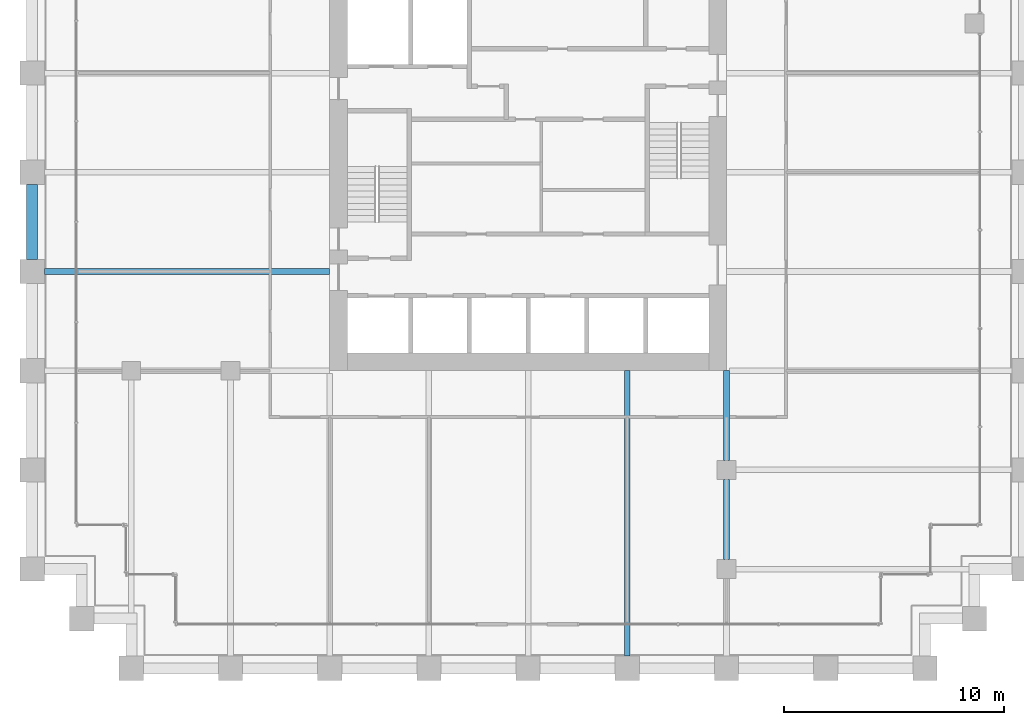
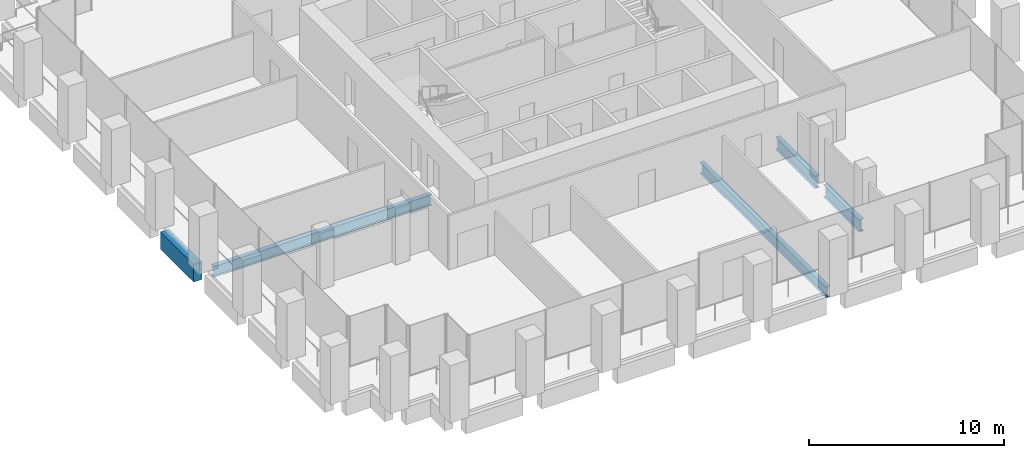
# One storey, part 10 of 56: 5 beams.
"""IFC4 building model written with IfcOpenShell, lengths in metres."""

import ifcopenshell
import ifcopenshell.guid

model = None  # the IFC model being written
_history = None  # IfcOwnerHistory: only IFC2X3 demands one
_inside = {}  # id of a spatial element -> (the spatial element, [elements in it])
_under = {}  # id of a project, library or spatial element -> (it, [spatial elements below it])
_declared = {}  # id of a project -> (the project, [libraries it declares])
_typed = {}  # id of a type object -> (the type object, [elements of that type])
_made_of = {}  # id of a material, layer set ... -> (it, [elements and type objects made of it])


def new_model(schema):
    """Start an empty IFC model of exactly this schema.

    Asked for "IFC4X3", IfcOpenShell would pick the latest addendum, in which some entities
    have other attributes; the version numbers below select the first issue.
    IFC2X3 requires an IfcOwnerHistory on every rooted entity: one is made here for all.
    """
    global model, _history
    if schema == "IFC4X3":
        model = ifcopenshell.file(schema_version=(4, 3, 0, 0))
    else:
        model = ifcopenshell.file(schema=schema)
    _inside.clear()
    _under.clear()
    _declared.clear()
    _typed.clear()
    _made_of.clear()
    _history = None
    if model.schema == "IFC2X3":
        org = make("IfcOrganization", Name="unknown")
        user = make(
            "IfcPersonAndOrganization",
            ThePerson=make("IfcPerson", FamilyName="unknown"),
            TheOrganization=org,
        )
        app = make(
            "IfcApplication",
            ApplicationDeveloper=org,
            Version="unknown",
            ApplicationFullName="unknown",
            ApplicationIdentifier="unknown",
        )
        _history = make(
            "IfcOwnerHistory",
            OwningUser=user,
            OwningApplication=app,
            ChangeAction="ADDED",
            CreationDate=0,
        )
    return model


def make(cls, **values):
    """One entity of the class cls with the attributes given. An attribute that is None is left unset."""
    return model.create_entity(
        cls, **{name: value for name, value in values.items() if value is not None}
    )


def rooted(cls, **values):
    """An entity with a GlobalId (a new one), such as an element, a storey or a relation."""
    return make(cls, GlobalId=ifcopenshell.guid.new(), OwnerHistory=_history, **values)


def si_unit(unit_type, name, prefix=None):
    """IfcSIUnit, for example si_unit("LENGTHUNIT", "METRE", prefix="MILLI")."""
    return make("IfcSIUnit", UnitType=unit_type, Prefix=prefix, Name=name)


def assignment(units):
    """IfcUnitAssignment: the units of a project."""
    return None if units is None else make("IfcUnitAssignment", Units=units)


def point(xyz):
    """IfcCartesianPoint."""
    return None if xyz is None else make("IfcCartesianPoint", Coordinates=xyz)


def direction(xyz):
    """IfcDirection."""
    return None if xyz is None else make("IfcDirection", DirectionRatios=xyz)


def frame(location, z_axis=None, x_axis=None):
    """IfcAxis2Placement3D, a coordinate frame: its origin and axes. An axis left out is left unset."""
    return make(
        "IfcAxis2Placement3D",
        Location=point(location),
        Axis=direction(z_axis),
        RefDirection=direction(x_axis),
    )


def frame_2d(location, x_axis=None):
    """IfcAxis2Placement2D, a coordinate frame in the plane: its origin and x axis."""
    return make(
        "IfcAxis2Placement2D", Location=point(location), RefDirection=direction(x_axis)
    )


def origin():
    """The frame at (0, 0, 0) with its axes left unset."""
    return frame((0.0, 0.0, 0.0))


def origin_2d():
    """The frame at (0, 0) in the plane with its x axis left unset."""
    return frame_2d((0.0, 0.0))


def place(relative_to, where):
    """IfcLocalPlacement: puts the frame where relative to a parent placement (None: the world)."""
    return make(
        "IfcLocalPlacement", PlacementRelTo=relative_to, RelativePlacement=where
    )


def context(
    kind, dimensions, precision=None, world=None, true_north=None, identifier=None
):
    """IfcGeometricRepresentationContext, for example the 3D "Model" context."""
    return make(
        "IfcGeometricRepresentationContext",
        ContextIdentifier=identifier,
        ContextType=kind,
        CoordinateSpaceDimension=dimensions,
        Precision=precision,
        WorldCoordinateSystem=world,
        TrueNorth=true_north,
    )


def subcontext(parent, identifier, kind, view, scale=None):
    """IfcGeometricRepresentationSubContext, for example "Body" below "Model"."""
    return make(
        "IfcGeometricRepresentationSubContext",
        ContextIdentifier=identifier,
        ContextType=kind,
        ParentContext=parent,
        TargetScale=scale,
        TargetView=view,
    )


def project(units=None, contexts=None):
    """IfcProject with its units and contexts."""
    return rooted(
        "IfcProject",
        Name="project",
        RepresentationContexts=contexts,
        UnitsInContext=assignment(units),
    )


def spatial(cls, under=None, at=None, **own):
    """A site, building, storey or space (cls), placed at a placement, below another one or the project."""
    s = rooted(cls, ObjectPlacement=at, **own)
    if under is not None:
        _under.setdefault(under.id(), (under, []))[1].append(s)
    return s


def profile(cls, at=None, kind="AREA", **sizes):
    """A parametric profile (cls). Its sizes go by their IFC names, for example OverallWidth=200.0."""
    return make(cls, ProfileType=kind, Position=at, **sizes)


def rectangle(**sizes):
    """IfcRectangleProfileDef."""
    return profile("IfcRectangleProfileDef", **sizes)


def i_section(**sizes):
    """IfcIShapeProfileDef."""
    return profile("IfcIShapeProfileDef", **sizes)


def extrude(swept, where, along, depth):
    """IfcExtrudedAreaSolid: the profile swept, set in the frame where, extruded along a direction by depth."""
    return make(
        "IfcExtrudedAreaSolid",
        SweptArea=swept,
        Position=where,
        ExtrudedDirection=direction(along),
        Depth=depth,
    )


def shape(context_of_items, identifier, shape_type, items):
    """IfcShapeRepresentation: the items that make up one representation, for example the "Body"."""
    return make(
        "IfcShapeRepresentation",
        ContextOfItems=context_of_items,
        RepresentationIdentifier=identifier,
        RepresentationType=shape_type,
        Items=items,
    )


def material(Name=None, Category=None):
    """IfcMaterial."""
    return make("IfcMaterial", Name=Name, Category=Category)


def material_profile(
    of_material, cross_section, Name=None, Category=None, Priority=None
):
    """IfcMaterialProfile: a cross section and its material."""
    return make(
        "IfcMaterialProfile",
        Name=Name,
        Material=of_material,
        Profile=cross_section,
        Priority=Priority,
        Category=Category,
    )


def profile_set(profiles, Name=None, composite=None):
    """IfcMaterialProfileSet."""
    return make(
        "IfcMaterialProfileSet",
        Name=Name,
        MaterialProfiles=profiles,
        CompositeProfile=composite,
    )


def made_of(thing, what):
    """Note that an element or type object is made of a material, layer set ...; save() writes the relation."""
    if what is not None:
        _made_of.setdefault(what.id(), (what, []))[1].append(thing)
    return thing


def type_object(cls, material=None, **own):
    """A type object (cls), such as IfcWallType, which elements share."""
    return made_of(rooted(cls, **own), material)


def element(
    cls,
    number,
    at=None,
    inside=None,
    cuts=None,
    type_object=None,
    material=None,
    context=None,
    identifier="Body",
    shape_type=None,
    held_by="IfcProductDefinitionShape",
    body=None,
    shapes=None,
    **own,
):
    """One element of the class cls, such as IfcWall. Its Tag is "e" and its number.

    at: its placement. inside: the storey or other place that contains it. cuts: it is an
    opening in that element (IfcRelVoidsElement). A single representation is given by context,
    identifier, shape_type and body (its items); several are given by shapes. held_by: the class
    of the entity that holds the representations. save() writes the other relations.
    """
    e = rooted(cls, Tag="e%d" % number, ObjectPlacement=at, **own)
    if body is not None:
        shapes = [shape(context, identifier, shape_type, body)]
    if shapes is not None:
        e.Representation = make(held_by, Representations=shapes)
    if inside is not None:
        _inside.setdefault(inside.id(), (inside, []))[1].append(e)
    if cuts is not None:
        rooted(
            "IfcRelVoidsElement", RelatingBuildingElement=cuts, RelatedOpeningElement=e
        )
    if type_object is not None:
        _typed.setdefault(type_object.id(), (type_object, []))[1].append(e)
    return made_of(e, material)


def aggregate(whole, parts):
    """IfcRelAggregates: a whole, such as a stair, and the parts it consists of."""
    return rooted("IfcRelAggregates", RelatingObject=whole, RelatedObjects=parts)


def save(model, path):
    """Write the relations noted so far, then the file.

    IfcRelAggregates (storeys below a building ...), IfcRelContainedInSpatialStructure (elements
    in a storey), IfcRelDefinesByType, IfcRelAssociatesMaterial and IfcRelDeclares: one each for
    every whole, place, type object, material and project.
    """
    for whole, parts in _under.values():
        aggregate(whole, parts)
    for where, things in _inside.values():
        rooted(
            "IfcRelContainedInSpatialStructure",
            RelatedElements=things,
            RelatingStructure=where,
        )
    for kind, things in _typed.values():
        rooted("IfcRelDefinesByType", RelatedObjects=things, RelatingType=kind)
    for what, things in _made_of.values():
        rooted("IfcRelAssociatesMaterial", RelatedObjects=things, RelatingMaterial=what)
    for by, libraries in _declared.values():
        rooted("IfcRelDeclares", RelatingContext=by, RelatedDefinitions=libraries)
    model.write(path)


model = new_model("IFC4")

# Units and contexts
model_context = context("Model", 3, precision=1e-05, world=origin(), true_north=direction((0.0, 1.0)))
body_context = subcontext(model_context, "Body", "Model", "MODEL_VIEW")
ifc_project = project(units=[si_unit("LENGTHUNIT", "METRE"), si_unit("AREAUNIT", "SQUARE_METRE"), si_unit("VOLUMEUNIT", "CUBIC_METRE"), si_unit("PLANEANGLEUNIT", "RADIAN"), si_unit("MASSUNIT", "GRAM", prefix="KILO")], contexts=[model_context])

# Site, building, storey
site_placement = place(None, origin())
site = spatial("IfcSite", under=ifc_project, at=site_placement, CompositionType="ELEMENT")
building_placement = place(site_placement, origin())
building = spatial("IfcBuilding", under=site, at=building_placement, Name="Altepetl Exchange Towers", CompositionType="ELEMENT")
storey_placement = place(building_placement, frame((0.0, 0.0, 54.60009765625)))
storey = spatial("IfcBuildingStorey", under=building, at=storey_placement, Name="L12", CompositionType="ELEMENT", Elevation=54.60009765625)

# Beams
ifc_material_1 = material(Name="Steel S355", Category="steel")
ifc_material_profile_1 = material_profile(ifc_material_1, i_section(OverallWidth=0.25390625, OverallDepth=0.68408203125, WebThickness=0.012451171875, FlangeThickness=0.018798828125, at=origin_2d()), Name="W27X94")
ifc_profile_set_1 = profile_set([ifc_material_profile_1], Name="Steel S355")
beam_type_1 = type_object("IfcBeamType", Name="Floor beam W27X94", PredefinedType="BEAM", material=ifc_profile_set_1)
for number, where, z_axis, x_axis, name in (
    (1, (54.0, 27.550048828125, -0.4921875), (0.0, 1.0, 0.0), (-1.0, 0.0, 0.0), "bm:A:L12:017"),
    (2, (27.550048828125, 45.0, -0.4921875), (1.0, 0.0, 0.0), (0.0, 1.0, 0.0), "bm:A:L12:018"),
):
    element("IfcBeam", number, at=place(storey_placement, frame(where, z_axis=z_axis, x_axis=x_axis)), inside=storey, type_object=beam_type_1, Name=name, PredefinedType="BEAM", context=body_context, shape_type="SweptSolid", body=[
        extrude(i_section(OverallWidth=0.25390625, OverallDepth=0.68408203125, WebThickness=0.012451171875, FlangeThickness=0.018798828125, at=origin_2d()), origin(), (0.0, 0.0, 1.0), 12.949951171875),
    ])
ifc_material_profile_2 = material_profile(ifc_material_1, i_section(OverallWidth=0.26806640625, OverallDepth=0.77392578125, WebThickness=0.015380859375, FlangeThickness=0.025390625, at=origin_2d()), Name="W30X132")
ifc_profile_set_2 = profile_set([ifc_material_profile_2], Name="Steel S355")
beam_type_2 = type_object("IfcBeamType", Name="Girder W30X132", PredefinedType="BEAM", material=ifc_profile_set_2)
beam_1_placement = place(storey_placement, frame((58.5, 40.5, -0.537109375), z_axis=(0.0, -1.0, 0.0), x_axis=(1.0, 0.0, 0.0)))
element("IfcBeam", 3, at=beam_1_placement, inside=storey, type_object=beam_type_2, Name="gd:A:L12:006", PredefinedType="BEAM", context=body_context, shape_type="SweptSolid", body=[
    extrude(i_section(OverallWidth=0.26806640625, OverallDepth=0.77392578125, WebThickness=0.015380859375, FlangeThickness=0.025390625, at=origin_2d()), origin(), (0.0, 0.0, 1.0), 4.074951171875),
])
beam_2_placement = place(storey_placement, frame((58.5, 35.574951171875, -0.537109375), z_axis=(0.0, -1.0, 0.0), x_axis=(1.0, 0.0, 0.0)))
element("IfcBeam", 4, at=beam_2_placement, inside=storey, type_object=beam_type_2, Name="gd:A:L12:007", PredefinedType="BEAM", context=body_context, shape_type="SweptSolid", body=[
    extrude(i_section(OverallWidth=0.26806640625, OverallDepth=0.77392578125, WebThickness=0.015380859375, FlangeThickness=0.025390625, at=origin_2d()), origin(), (0.0, 0.0, 1.0), 3.64990234375),
])
ifc_material_2 = material(Name="Concrete C50/60 precast with tezontle facing", Category="concrete")
ifc_material_profile_3 = material_profile(ifc_material_2, rectangle(XDim=0.5, YDim=1.10009765625, at=origin_2d()), Name="500 x 1100")
ifc_profile_set_3 = profile_set([ifc_material_profile_3], Name="Concrete C50/60 precast with tezontle facing")
beam_type_3 = type_object("IfcBeamType", Name="Spandrel beam 500x1100 tezontle", PredefinedType="SPANDREL", material=ifc_profile_set_3)
beam_3_placement = place(storey_placement, frame((27.0, 48.949951171875, -0.7001953125), z_axis=(0.0, -1.0, 0.0), x_axis=(1.0, 0.0, 0.0)))
element("IfcBeam", 5, at=beam_3_placement, inside=storey, type_object=beam_type_3, Name="sp:A:L12:040", PredefinedType="SPANDREL", context=body_context, shape_type="SweptSolid", body=[
    extrude(rectangle(XDim=0.5, YDim=1.10009765625, at=origin_2d()), origin(), (0.0, 0.0, 1.0), 3.39990234375),
])

save(model, "model.ifc")
